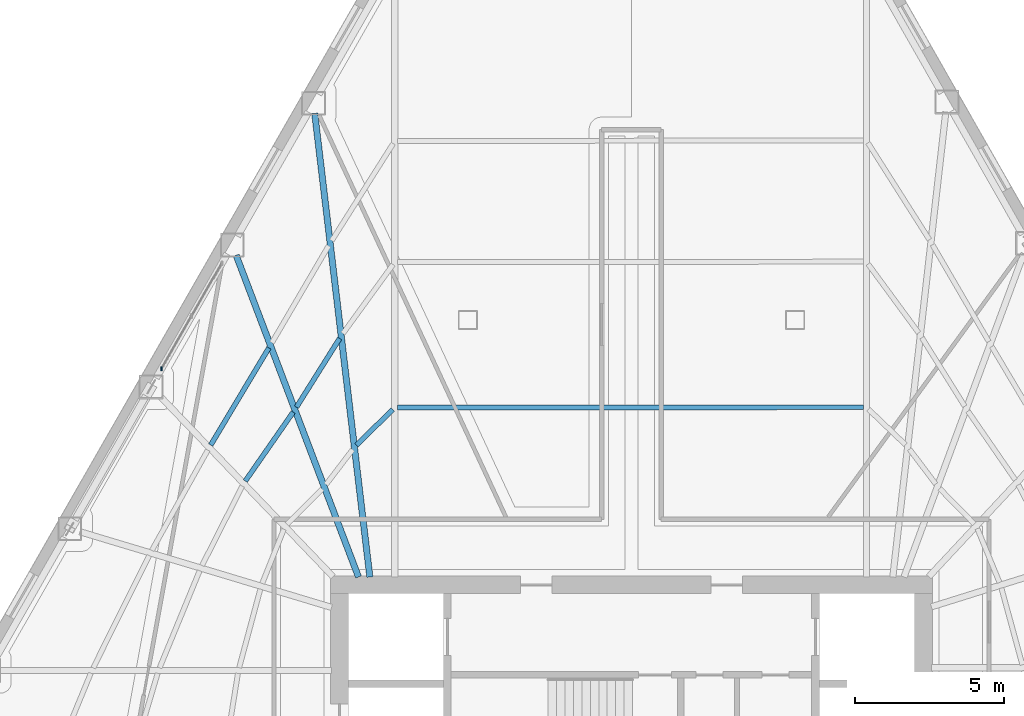
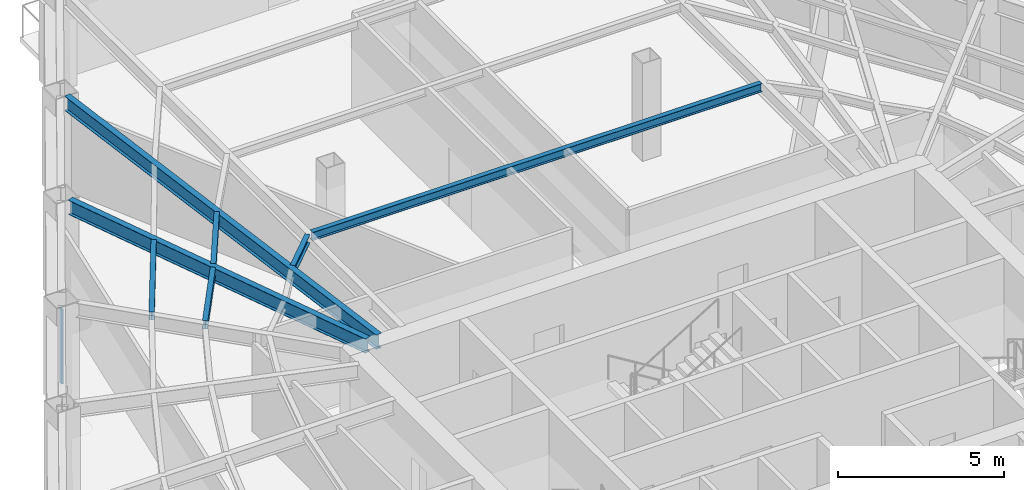
# One storey, part 2 of 14: 7 beams, 1 member, 1 element without a shape of its own.
"""IFC4 building model written with IfcOpenShell, lengths in metres."""

from ifc_helpers import new_model, si_unit, direction, frame, origin, origin_2d, place, context, subcontext, project, spatial, rectangle, i_section, extrude, material, layer, layer_set, material_profile, profile_set, type_object, element, aggregate, save


model = new_model("IFC4")

# Units and contexts
model_context = context("Model", 3, precision=1e-05, world=origin(), true_north=direction((0.0, 1.0)))
body_context = subcontext(model_context, "Body", "Model", "MODEL_VIEW")
ifc_project = project(units=[si_unit("LENGTHUNIT", "METRE"), si_unit("AREAUNIT", "SQUARE_METRE"), si_unit("VOLUMEUNIT", "CUBIC_METRE"), si_unit("PLANEANGLEUNIT", "RADIAN"), si_unit("MASSUNIT", "GRAM", prefix="KILO")], contexts=[model_context])

# Site, building, storey
site_placement = place(None, origin())
site = spatial("IfcSite", under=ifc_project, at=site_placement, CompositionType="ELEMENT")
building_placement = place(site_placement, origin())
building = spatial("IfcBuilding", under=site, at=building_placement, Name="Kavelnor Concourse Tower", CompositionType="ELEMENT")
storey_placement = place(building_placement, frame((0.0, 0.0, 17.550048828125)))
storey = spatial("IfcBuildingStorey", under=building, at=storey_placement, Name="L04", CompositionType="ELEMENT", Elevation=17.550048828125)

# Beams
ifc_material_1 = material(Name="Steel Grade 350", Category="steel")
ifc_material_profile_1 = material_profile(ifc_material_1, i_section(OverallWidth=0.166015625, OverallDepth=0.306884765625, WebThickness=0.006591796875, FlangeThickness=0.01171875, at=origin_2d()), Name="310UB46")
ifc_profile_set_1 = profile_set([ifc_material_profile_1], Name="Steel Grade 350")
beam_type_1 = type_object("IfcBeamType", Name="BM-JOIST-310", PredefinedType="JOIST", material=ifc_profile_set_1)
beam_1_placement = place(storey_placement, frame((45.7978515625, 28.869140625, 3.4365234375), z_axis=(-0.9999998151, -0.000608111156, 0.0), x_axis=(0.000608111156, -0.9999998151, 0.0)))
element("IfcBeam", 1, at=beam_1_placement, inside=storey, type_object=beam_type_1, Name="L04 Secondary Composite Joist 15-1", PredefinedType="JOIST", context=body_context, shape_type="SweptSolid", body=[
    extrude(i_section(OverallWidth=0.166015625, OverallDepth=0.306884765625, WebThickness=0.006591796875, FlangeThickness=0.01171875, at=origin_2d()), origin(), (0.0, 0.0, 1.0), 15.657470703125),
])
beam_2_placement = place(storey_placement, frame((29.9716796875, 28.790283203125, 3.4365234375), z_axis=(-0.712456664391, -0.701716111661, 0.0), x_axis=(0.701716111661, -0.712456664391, 0.0)))
element("IfcBeam", 2, at=beam_2_placement, inside=storey, type_object=beam_type_1, Name="L04 Secondary Composite Joist 16-1", PredefinedType="JOIST", context=body_context, shape_type="SweptSolid", body=[
    extrude(i_section(OverallWidth=0.166015625, OverallDepth=0.306884765625, WebThickness=0.006591796875, FlangeThickness=0.01171875, at=origin_2d()), origin(), (0.0, 0.0, 1.0), 1.704833984375),
])
beam_3_placement = place(storey_placement, frame((28.189453125, 31.182373046875, 3.4365234375), z_axis=(-0.531797957947, -0.846871260537, 0.0), x_axis=(0.846871260537, -0.531797957947, 0.0)))
element("IfcBeam", 3, at=beam_3_placement, inside=storey, type_object=beam_type_1, Name="L04 Secondary Composite Joist 17-2", PredefinedType="JOIST", context=body_context, shape_type="SweptSolid", body=[
    extrude(i_section(OverallWidth=0.166015625, OverallDepth=0.306884765625, WebThickness=0.006591796875, FlangeThickness=0.01171875, at=origin_2d()), origin(), (0.0, 0.0, 1.0), 2.730712890625),
])
beam_4_placement = place(storey_placement, frame((26.628662109375, 28.70556640625, 3.4365234375), z_axis=(-0.570608165612, -0.821222455451, 0.0), x_axis=(0.821222455451, -0.570608165612, 0.0)))
element("IfcBeam", 4, at=beam_4_placement, inside=storey, type_object=beam_type_1, Name="L04 Secondary Composite Joist 18-2", PredefinedType="JOIST", context=body_context, shape_type="SweptSolid", body=[
    extrude(i_section(OverallWidth=0.166015625, OverallDepth=0.306884765625, WebThickness=0.006591796875, FlangeThickness=0.01171875, at=origin_2d()), origin(), (0.0, 0.0, 1.0), 2.822265625),
])
beam_5_placement = place(storey_placement, frame((25.8115234375, 30.864990234375, 3.4365234375), z_axis=(-0.513590264501, -0.858035570481, 0.0), x_axis=(0.858035570481, -0.513590264501, 0.0)))
element("IfcBeam", 5, at=beam_5_placement, inside=storey, type_object=beam_type_1, Name="L04 Secondary Composite Joist 18-3", PredefinedType="JOIST", context=body_context, shape_type="SweptSolid", body=[
    extrude(i_section(OverallWidth=0.166015625, OverallDepth=0.306884765625, WebThickness=0.006591796875, FlangeThickness=0.01171875, at=origin_2d()), origin(), (0.0, 0.0, 1.0), 3.8076171875),
])
ifc_material_profile_2 = material_profile(ifc_material_1, i_section(OverallWidth=0.208984375, OverallDepth=0.528076171875, WebThickness=0.009521484375, FlangeThickness=0.01318359375, at=origin_2d()), Name="530UB82")
ifc_profile_set_2 = profile_set([ifc_material_profile_2], Name="Steel Grade 350")
beam_type_2 = type_object("IfcBeamType", Name="BM-PRIMARY-530", PredefinedType="BEAM", material=ifc_profile_set_2)
beam_6_placement = place(storey_placement, frame((29.206298828125, 23.160400390625, 3.325927734375), z_axis=(-0.118157753509, 0.992994836485, 0.0), x_axis=(-0.992994836485, -0.118157753509, 0.0)))
element("IfcBeam", 6, at=beam_6_placement, inside=storey, type_object=beam_type_2, Name="L04 Primary Floor Girder F0-B1", PredefinedType="BEAM", context=body_context, shape_type="SweptSolid", body=[
    extrude(i_section(OverallWidth=0.208984375, OverallDepth=0.528076171875, WebThickness=0.009521484375, FlangeThickness=0.01318359375, at=origin_2d()), origin(), (0.0, 0.0, 1.0), 15.697021484375),
])
beam_7_placement = place(storey_placement, frame((28.82373046875, 23.16259765625, 3.325927734375), z_axis=(-0.355482871752, 0.934682795333, 0.0), x_axis=(-0.934682795333, -0.355482871752, 0.0)))
element("IfcBeam", 7, at=beam_7_placement, inside=storey, type_object=beam_type_2, Name="L04 Primary Floor Girder F0-B2", PredefinedType="BEAM", context=body_context, shape_type="SweptSolid", body=[
    extrude(i_section(OverallWidth=0.208984375, OverallDepth=0.528076171875, WebThickness=0.009521484375, FlangeThickness=0.01318359375, at=origin_2d()), origin(), (0.0, 0.0, 1.0), 11.571044921875),
])

# Curtain wall, member
ifc_material_2 = material(Name="Anodised aluminium 6063-T6", Category="aluminium")
ifc_layer = layer(ifc_material_2, 0.139892578125, Name="Anodised aluminium 6063-T6")
ifc_layer_set = layer_set([ifc_layer], Name="Anodised aluminium 6063-T6")
curtain_wall_type = type_object("IfcCurtainWallType", Name="CW-TERRACE-PAVILION", PredefinedType="NOTDEFINED", material=ifc_layer_set)
curtain_wall_placement = place(storey_placement, origin())
curtain_wall = element("IfcCurtainWall", 8, at=curtain_wall_placement, inside=storey, type_object=curtain_wall_type, Name="L04 Terrace Pavilion Curtain Wall", PredefinedType="NOTDEFINED")
ifc_material_profile_3 = material_profile(ifc_material_2, rectangle(XDim=0.054931640625, YDim=0.139892578125, at=origin_2d()), Name="AL-MULL 55x140")
ifc_profile_set_3 = profile_set([ifc_material_profile_3], Name="Anodised aluminium 6063-T6")
member_type = type_object("IfcMemberType", Name="CW-TERRACE-PAVILION-MULL", PredefinedType="MULLION", material=ifc_profile_set_3)
member_placement = place(storey_placement, frame((22.197265625, 30.160400390625, 0.0), z_axis=(0.0, 0.0, 1.0), x_axis=(1.0, 0.0, 0.0)))
member = element("IfcMember", 9, at=member_placement, type_object=member_type, Name="L04 Terrace Pavilion Curtain Wall Mullion 2", PredefinedType="MULLION", context=body_context, shape_type="SweptSolid", body=[
    extrude(rectangle(XDim=0.054931640625, YDim=0.139892578125, at=origin_2d()), origin(), (0.0, 0.0, 1.0), 2.75),
])
aggregate(curtain_wall, [member])

save(model, "model.ifc")
